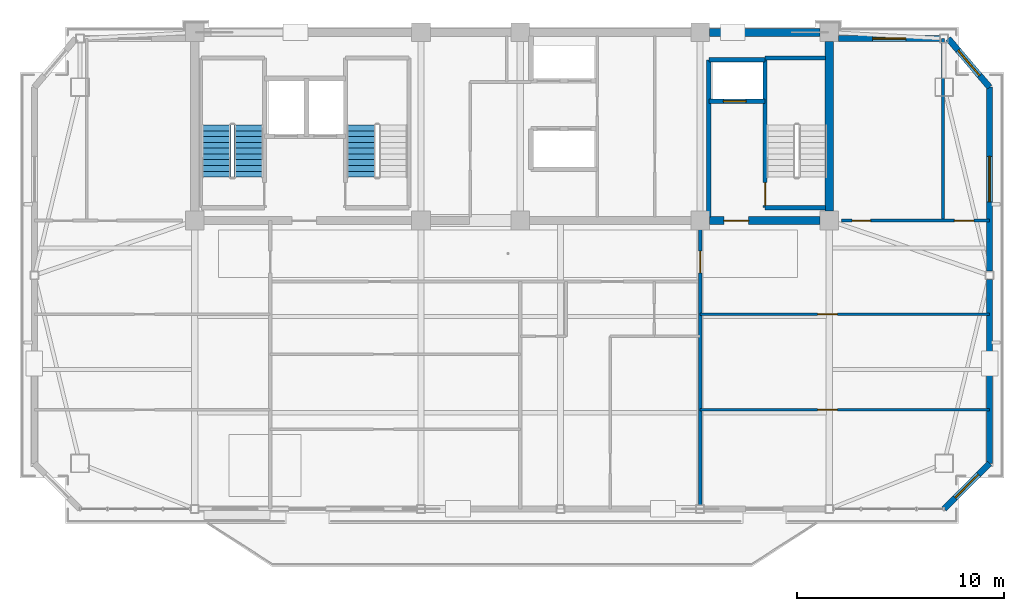
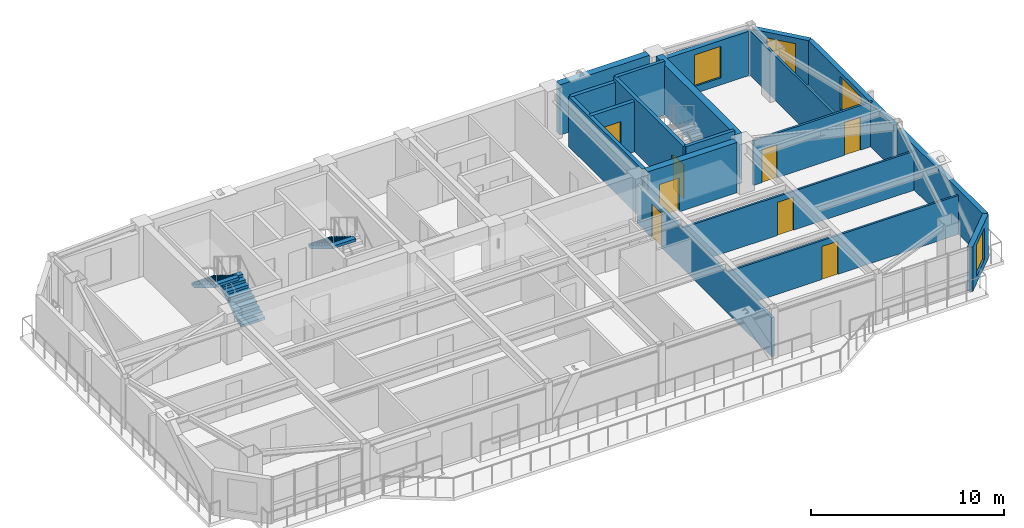
# One storey, part 8 of 12: 19 walls, 8 doors, 4 windows, 3 stair flights, 12 openings, 2 elements without a shape of their own.
"""IFC4 building model written with IfcOpenShell, lengths in metres."""

import ifcopenshell
import ifcopenshell.guid

model = None  # the IFC model being written
_history = None  # IfcOwnerHistory: only IFC2X3 demands one
_inside = {}  # id of a spatial element -> (the spatial element, [elements in it])
_under = {}  # id of a project, library or spatial element -> (it, [spatial elements below it])
_declared = {}  # id of a project -> (the project, [libraries it declares])
_typed = {}  # id of a type object -> (the type object, [elements of that type])
_made_of = {}  # id of a material, layer set ... -> (it, [elements and type objects made of it])


def new_model(schema):
    """Start an empty IFC model of exactly this schema.

    Asked for "IFC4X3", IfcOpenShell would pick the latest addendum, in which some entities
    have other attributes; the version numbers below select the first issue.
    IFC2X3 requires an IfcOwnerHistory on every rooted entity: one is made here for all.
    """
    global model, _history
    if schema == "IFC4X3":
        model = ifcopenshell.file(schema_version=(4, 3, 0, 0))
    else:
        model = ifcopenshell.file(schema=schema)
    _inside.clear()
    _under.clear()
    _declared.clear()
    _typed.clear()
    _made_of.clear()
    _history = None
    if model.schema == "IFC2X3":
        org = make("IfcOrganization", Name="unknown")
        user = make(
            "IfcPersonAndOrganization",
            ThePerson=make("IfcPerson", FamilyName="unknown"),
            TheOrganization=org,
        )
        app = make(
            "IfcApplication",
            ApplicationDeveloper=org,
            Version="unknown",
            ApplicationFullName="unknown",
            ApplicationIdentifier="unknown",
        )
        _history = make(
            "IfcOwnerHistory",
            OwningUser=user,
            OwningApplication=app,
            ChangeAction="ADDED",
            CreationDate=0,
        )
    return model


def make(cls, **values):
    """One entity of the class cls with the attributes given. An attribute that is None is left unset."""
    return model.create_entity(
        cls, **{name: value for name, value in values.items() if value is not None}
    )


def rooted(cls, **values):
    """An entity with a GlobalId (a new one), such as an element, a storey or a relation."""
    return make(cls, GlobalId=ifcopenshell.guid.new(), OwnerHistory=_history, **values)


def si_unit(unit_type, name, prefix=None):
    """IfcSIUnit, for example si_unit("LENGTHUNIT", "METRE", prefix="MILLI")."""
    return make("IfcSIUnit", UnitType=unit_type, Prefix=prefix, Name=name)


def assignment(units):
    """IfcUnitAssignment: the units of a project."""
    return None if units is None else make("IfcUnitAssignment", Units=units)


def point(xyz):
    """IfcCartesianPoint."""
    return None if xyz is None else make("IfcCartesianPoint", Coordinates=xyz)


def direction(xyz):
    """IfcDirection."""
    return None if xyz is None else make("IfcDirection", DirectionRatios=xyz)


def frame(location, z_axis=None, x_axis=None):
    """IfcAxis2Placement3D, a coordinate frame: its origin and axes. An axis left out is left unset."""
    return make(
        "IfcAxis2Placement3D",
        Location=point(location),
        Axis=direction(z_axis),
        RefDirection=direction(x_axis),
    )


def frame_2d(location, x_axis=None):
    """IfcAxis2Placement2D, a coordinate frame in the plane: its origin and x axis."""
    return make(
        "IfcAxis2Placement2D", Location=point(location), RefDirection=direction(x_axis)
    )


def origin():
    """The frame at (0, 0, 0) with its axes left unset."""
    return frame((0.0, 0.0, 0.0))


def place(relative_to, where):
    """IfcLocalPlacement: puts the frame where relative to a parent placement (None: the world)."""
    return make(
        "IfcLocalPlacement", PlacementRelTo=relative_to, RelativePlacement=where
    )


def context(
    kind, dimensions, precision=None, world=None, true_north=None, identifier=None
):
    """IfcGeometricRepresentationContext, for example the 3D "Model" context."""
    return make(
        "IfcGeometricRepresentationContext",
        ContextIdentifier=identifier,
        ContextType=kind,
        CoordinateSpaceDimension=dimensions,
        Precision=precision,
        WorldCoordinateSystem=world,
        TrueNorth=true_north,
    )


def subcontext(parent, identifier, kind, view, scale=None):
    """IfcGeometricRepresentationSubContext, for example "Body" below "Model"."""
    return make(
        "IfcGeometricRepresentationSubContext",
        ContextIdentifier=identifier,
        ContextType=kind,
        ParentContext=parent,
        TargetScale=scale,
        TargetView=view,
    )


def project(units=None, contexts=None):
    """IfcProject with its units and contexts."""
    return rooted(
        "IfcProject",
        Name="project",
        RepresentationContexts=contexts,
        UnitsInContext=assignment(units),
    )


def spatial(cls, under=None, at=None, **own):
    """A site, building, storey or space (cls), placed at a placement, below another one or the project."""
    s = rooted(cls, ObjectPlacement=at, **own)
    if under is not None:
        _under.setdefault(under.id(), (under, []))[1].append(s)
    return s


def polyline(points):
    """IfcPolyline through the points."""
    return make("IfcPolyline", Points=[point(p) for p in points])


def profile(cls, at=None, kind="AREA", **sizes):
    """A parametric profile (cls). Its sizes go by their IFC names, for example OverallWidth=200.0."""
    return make(cls, ProfileType=kind, Position=at, **sizes)


def rectangle(**sizes):
    """IfcRectangleProfileDef."""
    return profile("IfcRectangleProfileDef", **sizes)


def outline(outer, holes=None, kind="AREA"):
    """IfcArbitraryClosedProfileDef: a profile drawn as a closed curve; with holes, ...WithVoids."""
    if holes is None:
        return make("IfcArbitraryClosedProfileDef", ProfileType=kind, OuterCurve=outer)
    return make(
        "IfcArbitraryProfileDefWithVoids",
        ProfileType=kind,
        OuterCurve=outer,
        InnerCurves=holes,
    )


def extrude(swept, where, along, depth):
    """IfcExtrudedAreaSolid: the profile swept, set in the frame where, extruded along a direction by depth."""
    return make(
        "IfcExtrudedAreaSolid",
        SweptArea=swept,
        Position=where,
        ExtrudedDirection=direction(along),
        Depth=depth,
    )


def shape(context_of_items, identifier, shape_type, items):
    """IfcShapeRepresentation: the items that make up one representation, for example the "Body"."""
    return make(
        "IfcShapeRepresentation",
        ContextOfItems=context_of_items,
        RepresentationIdentifier=identifier,
        RepresentationType=shape_type,
        Items=items,
    )


def source(mapping_origin, context_of_items, identifier, shape_type, items):
    """IfcRepresentationMap: a shape defined once, which mapped items show again and again."""
    return make(
        "IfcRepresentationMap",
        MappingOrigin=mapping_origin,
        MappedRepresentation=shape(context_of_items, identifier, shape_type, items),
    )


def transform(
    local_origin,
    x_axis=None,
    y_axis=None,
    z_axis=None,
    scale=None,
    scale2=None,
    scale3=None,
    uniform=True,
):
    """IfcCartesianTransformationOperator3D, or its non-uniform kind. x_axis, y_axis, z_axis: its Axis1, 2, 3."""
    if uniform:
        return make(
            "IfcCartesianTransformationOperator3D",
            Axis1=direction(x_axis),
            Axis2=direction(y_axis),
            LocalOrigin=point(local_origin),
            Scale=scale,
            Axis3=direction(z_axis),
        )
    return make(
        "IfcCartesianTransformationOperator3DnonUniform",
        Axis1=direction(x_axis),
        Axis2=direction(y_axis),
        LocalOrigin=point(local_origin),
        Scale=scale,
        Axis3=direction(z_axis),
        Scale2=scale2,
        Scale3=scale3,
    )


def mapped(mapping_source, mapping_target):
    """IfcMappedItem: shows the shape of a source again, moved by a transform."""
    return make(
        "IfcMappedItem", MappingSource=mapping_source, MappingTarget=mapping_target
    )


def material(Name=None, Category=None):
    """IfcMaterial."""
    return make("IfcMaterial", Name=Name, Category=Category)


def layer(
    of_material, thickness, ventilated=None, Name=None, Category=None, Priority=None
):
    """IfcMaterialLayer: one layer of a wall or slab, of a material (None: an air gap)."""
    return make(
        "IfcMaterialLayer",
        Material=of_material,
        LayerThickness=thickness,
        IsVentilated=ventilated,
        Name=Name,
        Category=Category,
        Priority=Priority,
    )


def layer_set(layers, Name=None):
    """IfcMaterialLayerSet."""
    return make("IfcMaterialLayerSet", MaterialLayers=layers, LayerSetName=Name)


def made_of(thing, what):
    """Note that an element or type object is made of a material, layer set ...; save() writes the relation."""
    if what is not None:
        _made_of.setdefault(what.id(), (what, []))[1].append(thing)
    return thing


def type_object(cls, material=None, **own):
    """A type object (cls), such as IfcWallType, which elements share."""
    return made_of(rooted(cls, **own), material)


def element(
    cls,
    number,
    at=None,
    inside=None,
    cuts=None,
    type_object=None,
    material=None,
    context=None,
    identifier="Body",
    shape_type=None,
    held_by="IfcProductDefinitionShape",
    body=None,
    shapes=None,
    **own,
):
    """One element of the class cls, such as IfcWall. Its Tag is "e" and its number.

    at: its placement. inside: the storey or other place that contains it. cuts: it is an
    opening in that element (IfcRelVoidsElement). A single representation is given by context,
    identifier, shape_type and body (its items); several are given by shapes. held_by: the class
    of the entity that holds the representations. save() writes the other relations.
    """
    e = rooted(cls, Tag="e%d" % number, ObjectPlacement=at, **own)
    if body is not None:
        shapes = [shape(context, identifier, shape_type, body)]
    if shapes is not None:
        e.Representation = make(held_by, Representations=shapes)
    if inside is not None:
        _inside.setdefault(inside.id(), (inside, []))[1].append(e)
    if cuts is not None:
        rooted(
            "IfcRelVoidsElement", RelatingBuildingElement=cuts, RelatedOpeningElement=e
        )
    if type_object is not None:
        _typed.setdefault(type_object.id(), (type_object, []))[1].append(e)
    return made_of(e, material)


def fill(opening, filler):
    """IfcRelFillsElement: the door or window that sits in an opening."""
    return rooted(
        "IfcRelFillsElement",
        RelatingOpeningElement=opening,
        RelatedBuildingElement=filler,
    )


def aggregate(whole, parts):
    """IfcRelAggregates: a whole, such as a stair, and the parts it consists of."""
    return rooted("IfcRelAggregates", RelatingObject=whole, RelatedObjects=parts)


def save(model, path):
    """Write the relations noted so far, then the file.

    IfcRelAggregates (storeys below a building ...), IfcRelContainedInSpatialStructure (elements
    in a storey), IfcRelDefinesByType, IfcRelAssociatesMaterial and IfcRelDeclares: one each for
    every whole, place, type object, material and project.
    """
    for whole, parts in _under.values():
        aggregate(whole, parts)
    for where, things in _inside.values():
        rooted(
            "IfcRelContainedInSpatialStructure",
            RelatedElements=things,
            RelatingStructure=where,
        )
    for kind, things in _typed.values():
        rooted("IfcRelDefinesByType", RelatedObjects=things, RelatingType=kind)
    for what, things in _made_of.values():
        rooted("IfcRelAssociatesMaterial", RelatedObjects=things, RelatingMaterial=what)
    for by, libraries in _declared.values():
        rooted("IfcRelDeclares", RelatingContext=by, RelatedDefinitions=libraries)
    model.write(path)


model = new_model("IFC4")

# Units and contexts
model_context = context("Model", 3, precision=1e-05, world=origin(), true_north=direction((0.0, 1.0)))
body_context = subcontext(model_context, "Body", "Model", "MODEL_VIEW")
ifc_project = project(units=[si_unit("LENGTHUNIT", "METRE"), si_unit("AREAUNIT", "SQUARE_METRE"), si_unit("VOLUMEUNIT", "CUBIC_METRE"), si_unit("PLANEANGLEUNIT", "RADIAN"), si_unit("MASSUNIT", "GRAM", prefix="KILO")], contexts=[model_context])

# Site, building, storey
site_placement = place(None, origin())
site = spatial("IfcSite", under=ifc_project, at=site_placement, CompositionType="ELEMENT")
building_placement = place(site_placement, origin())
building = spatial("IfcBuilding", under=site, at=building_placement, Name="Giltprow Tower", CompositionType="ELEMENT")
storey_placement = place(building_placement, frame((0.0, 0.0, 345.89990234375)))
storey = spatial("IfcBuildingStorey", under=building, at=storey_placement, Name="L90", CompositionType="ELEMENT", Elevation=345.89990234375)

# Wall, opening, window
ifc_material_1 = material(Name="Precast concrete C40", Category="concrete")
ifc_layer_1 = layer(ifc_material_1, 0.300048828125, Name="Precast concrete C40")
ifc_layer_set_1 = layer_set([ifc_layer_1], Name="Precast concrete C40")
wall_type_1 = type_object("IfcWallType", Name="EW-NOTCH-CHAMFER-300", PredefinedType="SOLIDWALL", material=ifc_layer_set_1)
wall_1_placement = place(storey_placement, frame((56.10009765625, 23.5, 0.0), z_axis=(0.0, 0.0, 1.0), x_axis=(0.707106781187, 0.707106781187, 0.0)))
wall_1 = element("IfcWall", 1, at=wall_1_placement, inside=storey, type_object=wall_type_1, Name="L90 Corner Notch Wall SE", PredefinedType="SOLIDWALL", context=body_context, shape_type="SweptSolid", body=[
    extrude(rectangle(XDim=3.111083984375, YDim=0.300048828125, at=frame_2d((1.5556640625, 0.0))), origin(), (0.0, 0.0, 1.0), 2.815185546875),
])
opening_1_placement = place(wall_1_placement, frame((0.756103515625, 0.0, 0.449951171875)))
opening_1 = element("IfcOpeningElement", 2, at=opening_1_placement, cuts=wall_1, Name="Opening WN17", PredefinedType="OPENING", context=body_context, shape_type="SweptSolid", body=[
    extrude(rectangle(XDim=1.60009765625, YDim=2.0, at=frame_2d((0.800048828125, 1.0))), frame((0.0, 0.159912109375, 0.0), z_axis=(0.0, -1.0, 0.0), x_axis=(1.0, 0.0, 0.0)), (0.0, 0.0, 1.0), 0.320068359375),
])
ifc_material_2 = material(Name="Insulated glass", Category="glass")
window_type_1 = type_object("IfcWindowType", Name="WN-COR-1600x2000", PartitioningType="SINGLE_PANEL", PredefinedType="WINDOW", material=ifc_material_2)
shared_shape_1 = source(origin(), body_context, "Body", "SweptSolid", [
    extrude(rectangle(XDim=1.60009765625, YDim=2.0, at=frame_2d((0.800048828125, 1.0))), frame((0.0, 0.030029296875, 0.0), z_axis=(0.0, -1.0, 0.0), x_axis=(1.0, 0.0, 0.0)), (0.0, 0.0, 1.0), 0.06005859375),
])
window_1_placement = place(opening_1_placement, origin())
window_1 = element("IfcWindow", 3, at=window_1_placement, inside=storey, type_object=window_type_1, Name="L90 Corner Notch Window SE", OverallHeight=2.0, OverallWidth=1.60009765625, PartitioningType="SINGLE_PANEL", PredefinedType="WINDOW", context=body_context, shape_type="MappedRepresentation", body=[
    mapped(shared_shape_1, transform((0.0, 0.0, 0.0), x_axis=(1.0, 0.0, 0.0), y_axis=(0.0, 1.0, 0.0), z_axis=(0.0, 0.0, 1.0), scale=1.0)),
])
fill(opening_1, window_1)

wall_2_placement = place(storey_placement, frame((58.300048828125, 43.89990234375, 0.0), z_axis=(0.0, 0.0, 1.0), x_axis=(-0.648103010114, 0.761552682538, 0.0)))
wall_2 = element("IfcWall", 4, at=wall_2_placement, inside=storey, type_object=wall_type_1, Name="L90 Corner Notch Wall NE", PredefinedType="SOLIDWALL", context=body_context, shape_type="SweptSolid", body=[
    extrude(rectangle(XDim=3.0859375, YDim=0.300048828125, at=frame_2d((1.54296875, 0.0))), origin(), (0.0, 0.0, 1.0), 2.815185546875),
])
opening_2_placement = place(wall_2_placement, frame((0.742919921875, 0.0, 0.449951171875)))
opening_2 = element("IfcOpeningElement", 5, at=opening_2_placement, cuts=wall_2, Name="Opening WN17", PredefinedType="OPENING", context=body_context, shape_type="SweptSolid", body=[
    extrude(rectangle(XDim=1.60009765625, YDim=2.0, at=frame_2d((0.800048828125, 1.0))), frame((0.0, 0.159912109375, 0.0), z_axis=(0.0, -1.0, 0.0), x_axis=(1.0, 0.0, 0.0)), (0.0, 0.0, 1.0), 0.320068359375),
])
window_2_placement = place(opening_2_placement, origin())
window_2 = element("IfcWindow", 6, at=window_2_placement, inside=storey, type_object=window_type_1, Name="L90 Corner Notch Window NE", OverallHeight=2.0, OverallWidth=1.60009765625, PartitioningType="SINGLE_PANEL", PredefinedType="WINDOW", context=body_context, shape_type="MappedRepresentation", body=[
    mapped(shared_shape_1, transform((0.0, 0.0, 0.0), x_axis=(1.0, 0.0, 0.0), y_axis=(0.0, 1.0, 0.0), z_axis=(0.0, 0.0, 1.0), scale=1.0)),
])
fill(opening_2, window_2)

# Wall
ifc_layer_2 = layer(ifc_material_1, 0.280029296875, Name="Precast concrete C40")
ifc_layer_set_2 = layer_set([ifc_layer_2], Name="Precast concrete C40")
wall_type_2 = type_object("IfcWallType", Name="EW-TOW-BRONZE-280", PredefinedType="SOLIDWALL", material=ifc_layer_set_2)
wall_3_placement = place(storey_placement, frame((58.300048828125, 25.699951171875, 0.0), z_axis=(0.0, 0.0, 1.0), x_axis=(0.0, 1.0, 0.0)))
element("IfcWall", 7, at=wall_3_placement, inside=storey, type_object=wall_type_2, Name="L90 E Wing Masonry Wall 1", PredefinedType="SOLIDWALL", context=body_context, shape_type="SweptSolid", body=[
    extrude(rectangle(XDim=8.900146484375, YDim=0.280029296875, at=frame_2d((4.4501953125, 0.0))), origin(), (0.0, 0.0, 1.0), 2.815185546875),
])

# Wall, opening, window
wall_4_placement = place(storey_placement, frame((58.300048828125, 35.0, 0.0), z_axis=(0.0, 0.0, 1.0), x_axis=(0.0, 1.0, 0.0)))
wall_4 = element("IfcWall", 8, at=wall_4_placement, inside=storey, type_object=wall_type_2, Name="L90 E Wing Masonry Wall 2", PredefinedType="SOLIDWALL", context=body_context, shape_type="SweptSolid", body=[
    extrude(rectangle(XDim=8.89990234375, YDim=0.280029296875, at=frame_2d((4.449951171875, 0.0))), origin(), (0.0, 0.0, 1.0), 2.815185546875),
])
opening_3_placement = place(wall_4_placement, frame((3.35009765625, 0.0, 0.449951171875)))
opening_3 = element("IfcOpeningElement", 9, at=opening_3_placement, cuts=wall_4, Name="Opening WN27", PredefinedType="OPENING", context=body_context, shape_type="SweptSolid", body=[
    extrude(rectangle(XDim=2.199951171875, YDim=2.10009765625, at=frame_2d((1.10009765625, 1.050048828125))), frame((0.0, 0.14990234375, 0.0), z_axis=(0.0, -1.0, 0.0), x_axis=(1.0, 0.0, 0.0)), (0.0, 0.0, 1.0), 0.300048828125),
])
window_type_2 = type_object("IfcWindowType", Name="WN-RES-2200x2100", PartitioningType="TRIPLE_PANEL_VERTICAL", PredefinedType="WINDOW", material=ifc_material_2)
shared_shape_2 = source(origin(), body_context, "Body", "SweptSolid", [
    extrude(rectangle(XDim=2.199951171875, YDim=2.10009765625, at=frame_2d((1.10009765625, 1.050048828125))), frame((0.0, 0.030029296875, 0.0), z_axis=(0.0, -1.0, 0.0), x_axis=(1.0, 0.0, 0.0)), (0.0, 0.0, 1.0), 0.06005859375),
])
window_3_placement = place(opening_3_placement, origin())
window_3 = element("IfcWindow", 10, at=window_3_placement, inside=storey, type_object=window_type_2, Name="L90 E Wing Window 2-1", OverallHeight=2.10009765625, OverallWidth=2.199951171875, PartitioningType="SINGLE_PANEL", PredefinedType="WINDOW", context=body_context, shape_type="MappedRepresentation", body=[
    mapped(shared_shape_2, transform((0.0, 0.0, 0.0), x_axis=(1.0, 0.0, 0.0), y_axis=(0.0, 1.0, 0.0), z_axis=(0.0, 0.0, 1.0), scale=1.0)),
])
fill(opening_3, window_3)

wall_5_placement = place(storey_placement, frame((51.0, 46.25, 0.0), z_axis=(0.0, 0.0, 1.0), x_axis=(1.0, 0.0, 0.0)))
wall_5 = element("IfcWall", 11, at=wall_5_placement, inside=storey, type_object=wall_type_2, Name="L90 North-East Wing Wall", PredefinedType="SOLIDWALL", context=body_context, shape_type="SweptSolid", body=[
    extrude(rectangle(XDim=4.89990234375, YDim=0.280029296875, at=frame_2d((2.449951171875, 0.0))), origin(), (0.0, 0.0, 1.0), 2.815185546875),
])
opening_4_placement = place(wall_5_placement, frame((1.64990234375, 0.0, 0.449951171875)))
opening_4 = element("IfcOpeningElement", 12, at=opening_4_placement, cuts=wall_5, Name="Opening WN17", PredefinedType="OPENING", context=body_context, shape_type="SweptSolid", body=[
    extrude(rectangle(XDim=1.60009765625, YDim=2.0, at=frame_2d((0.800048828125, 1.0))), frame((0.0, 0.14990234375, 0.0), z_axis=(0.0, -1.0, 0.0), x_axis=(1.0, 0.0, 0.0)), (0.0, 0.0, 1.0), 0.300048828125),
])
window_4_placement = place(opening_4_placement, origin())
window_4 = element("IfcWindow", 13, at=window_4_placement, inside=storey, type_object=window_type_1, Name="L90 North-East Window", OverallHeight=2.0, OverallWidth=1.60009765625, PartitioningType="SINGLE_PANEL", PredefinedType="WINDOW", context=body_context, shape_type="MappedRepresentation", body=[
    mapped(shared_shape_1, transform((0.0, 0.0, 0.0), x_axis=(1.0, 0.0, 0.0), y_axis=(0.0, 1.0, 0.0), z_axis=(0.0, 0.0, 1.0), scale=1.0)),
])
fill(opening_4, window_4)

# Wall, opening, door
ifc_material_3 = material(Name="Gypsum stud partition", Category="gypsum")
ifc_layer_3 = layer(ifc_material_3, 0.159912109375, Name="Gypsum stud partition")
ifc_layer_set_3 = layer_set([ifc_layer_3], Name="Gypsum stud partition")
wall_type_3 = type_object("IfcWallType", Name="IW-DEMISE-160", PredefinedType="PARTITIONING", material=ifc_layer_set_3)
wall_6_placement = place(storey_placement, frame((44.300048828125, 23.5, 0.0), z_axis=(0.0, 0.0, 1.0), x_axis=(0.0, 1.0, 0.0)))
wall_6 = element("IfcWall", 14, at=wall_6_placement, inside=storey, type_object=wall_type_3, Name="L90 Apartment Party Wall 3", PredefinedType="PARTITIONING", context=body_context, shape_type="SweptSolid", body=[
    extrude(rectangle(XDim=13.949951171875, YDim=0.159912109375, at=frame_2d((6.97509765625, 0.0))), origin(), (0.0, 0.0, 1.0), 2.47021484375),
])
opening_5_placement = place(wall_6_placement, frame((11.419921875, 0.0, 0.0)))
opening_5 = element("IfcOpeningElement", 15, at=opening_5_placement, cuts=wall_6, Name="Opening ID31", PredefinedType="OPENING", context=body_context, shape_type="SweptSolid", body=[
    extrude(rectangle(XDim=1.050048828125, YDim=2.14990234375, at=frame_2d((0.52490234375, 1.074951171875))), frame((0.0, 0.08984375, 0.0), z_axis=(0.0, -1.0, 0.0), x_axis=(1.0, 0.0, 0.0)), (0.0, 0.0, 1.0), 0.179931640625),
])
ifc_material_4 = material(Name="Engineered timber", Category="wood")
door_type_1 = type_object("IfcDoorType", Name="DR-SUITE-1050", OperationType="SINGLE_SWING_LEFT", PredefinedType="DOOR", material=ifc_material_4)
shared_shape_3 = source(origin(), body_context, "Body", "SweptSolid", [
    extrude(rectangle(XDim=1.050048828125, YDim=2.14990234375, at=frame_2d((0.52490234375, 1.074951171875))), frame((0.0, 0.02490234375, 0.0), z_axis=(0.0, -1.0, 0.0), x_axis=(1.0, 0.0, 0.0)), (0.0, 0.0, 1.0), 0.050048828125),
])
door_1_placement = place(opening_5_placement, origin())
door_1 = element("IfcDoor", 16, at=door_1_placement, inside=storey, type_object=door_type_1, Name="L90 Rare Books Boutique Shop 2 Corridor End Door", OperationType="SINGLE_SWING_LEFT", OverallHeight=2.14990234375, OverallWidth=1.050048828125, PredefinedType="DOOR", context=body_context, shape_type="MappedRepresentation", body=[
    mapped(shared_shape_3, transform((0.0, 0.0, 0.0), x_axis=(1.0, 0.0, 0.0), y_axis=(0.0, 1.0, 0.0), z_axis=(0.0, 0.0, 1.0), scale=1.0)),
])
fill(opening_5, door_1)

ifc_layer_4 = layer(ifc_material_3, 0.1201171875, Name="Gypsum stud partition")
ifc_layer_set_4 = layer_set([ifc_layer_4], Name="Gypsum stud partition")
wall_type_4 = type_object("IfcWallType", Name="IW-ROOM-120", PredefinedType="PARTITIONING", material=ifc_layer_set_4)
wall_7_placement = place(storey_placement, frame((44.300048828125, 28.306884765625, 0.0), z_axis=(0.0, 0.0, 1.0), x_axis=(1.0, 0.0, 0.0)))
wall_7 = element("IfcWall", 17, at=wall_7_placement, inside=storey, type_object=wall_type_4, Name="L90 Special Split 1", PredefinedType="PARTITIONING", context=body_context, shape_type="SweptSolid", body=[
    extrude(rectangle(XDim=14.0, YDim=0.1201171875, at=frame_2d((7.0, 0.0))), origin(), (0.0, 0.0, 1.0), 2.47021484375),
])
opening_6_placement = place(wall_7_placement, frame((5.68603515625, 0.0, 0.0)))
opening_6 = element("IfcOpeningElement", 18, at=opening_6_placement, cuts=wall_7, Name="Opening ID11", PredefinedType="OPENING", context=body_context, shape_type="SweptSolid", body=[
    extrude(rectangle(XDim=0.949951171875, YDim=2.10009765625, at=frame_2d((0.47509765625, 1.050048828125))), frame((0.0, 0.070068359375, 0.0), z_axis=(0.0, -1.0, 0.0), x_axis=(1.0, 0.0, 0.0)), (0.0, 0.0, 1.0), 0.14013671875),
])
door_type_2 = type_object("IfcDoorType", Name="DR-ROOM-950", OperationType="SINGLE_SWING_RIGHT", PredefinedType="DOOR", material=ifc_material_4)
shared_shape_4 = source(origin(), body_context, "Body", "SweptSolid", [
    extrude(rectangle(XDim=0.949951171875, YDim=2.10009765625, at=frame_2d((0.47509765625, 1.050048828125))), frame((0.0, 0.02490234375, 0.0), z_axis=(0.0, -1.0, 0.0), x_axis=(1.0, 0.0, 0.0)), (0.0, 0.0, 1.0), 0.050048828125),
])
door_2_placement = place(opening_6_placement, origin())
door_2 = element("IfcDoor", 19, at=door_2_placement, inside=storey, type_object=door_type_2, Name="L90 Rare Books Boutique Shop 2 South Door", OperationType="SINGLE_SWING_RIGHT", OverallHeight=2.10009765625, OverallWidth=0.949951171875, PredefinedType="DOOR", context=body_context, shape_type="MappedRepresentation", body=[
    mapped(shared_shape_4, transform((0.0, 0.0, 0.0), x_axis=(1.0, 0.0, 0.0), y_axis=(0.0, 1.0, 0.0), z_axis=(0.0, 0.0, 1.0), scale=1.0)),
])
fill(opening_6, door_2)

wall_8_placement = place(storey_placement, frame((44.300048828125, 32.9140625, 0.0), z_axis=(0.0, 0.0, 1.0), x_axis=(1.0, 0.0, 0.0)))
wall_8 = element("IfcWall", 20, at=wall_8_placement, inside=storey, type_object=wall_type_4, Name="L90 Special Split 2", PredefinedType="PARTITIONING", context=body_context, shape_type="SweptSolid", body=[
    extrude(rectangle(XDim=14.0, YDim=0.1201171875, at=frame_2d((7.0, 0.0))), origin(), (0.0, 0.0, 1.0), 2.47021484375),
])
opening_7_placement = place(wall_8_placement, frame((5.68603515625, 0.0, 0.0)))
opening_7 = element("IfcOpeningElement", 21, at=opening_7_placement, cuts=wall_8, Name="Opening ID11", PredefinedType="OPENING", context=body_context, shape_type="SweptSolid", body=[
    extrude(rectangle(XDim=0.949951171875, YDim=2.10009765625, at=frame_2d((0.47509765625, 1.050048828125))), frame((0.0, 0.070068359375, 0.0), z_axis=(0.0, -1.0, 0.0), x_axis=(1.0, 0.0, 0.0)), (0.0, 0.0, 1.0), 0.14013671875),
])
door_3_placement = place(opening_7_placement, origin())
door_3 = element("IfcDoor", 22, at=door_3_placement, inside=storey, type_object=door_type_2, Name="L90 Rare Books Boutique Shop 2 Mid Door", OperationType="SINGLE_SWING_LEFT", OverallHeight=2.10009765625, OverallWidth=0.949951171875, PredefinedType="DOOR", context=body_context, shape_type="MappedRepresentation", body=[
    mapped(shared_shape_4, transform((0.0, 0.0, 0.0), x_axis=(1.0, 0.0, 0.0), y_axis=(0.0, 1.0, 0.0), z_axis=(0.0, 0.0, 1.0), scale=1.0)),
])
fill(opening_7, door_3)

ifc_material_5 = material(Name="Concrete C40", Category="concrete")
ifc_layer_5 = layer(ifc_material_5, 0.219970703125, Name="Concrete C40")
ifc_layer_set_5 = layer_set([ifc_layer_5], Name="Concrete C40")
wall_type_5 = type_object("IfcWallType", Name="IW-SHAFT-220", PredefinedType="SOLIDWALL", material=ifc_layer_set_5)
wall_9_placement = place(storey_placement, frame((44.719970703125, 43.219970703125, 0.0), z_axis=(0.0, 0.0, 1.0), x_axis=(1.0, 0.0, 0.0)))
wall_9 = element("IfcWall", 23, at=wall_9_placement, inside=storey, type_object=wall_type_5, Name="L90 FFL2 Front Shaft Wall", PredefinedType="SOLIDWALL", context=body_context, shape_type="SweptSolid", body=[
    extrude(rectangle(XDim=2.719970703125, YDim=0.219970703125, at=frame_2d((1.35986328125, 0.0))), origin(), (0.0, 0.0, 1.0), 3.18505859375),
])
opening_8_placement = place(wall_9_placement, frame((0.699951171875, 0.0, 0.0)))
opening_8 = element("IfcOpeningElement", 24, at=opening_8_placement, cuts=wall_9, Name="Opening LD-11", PredefinedType="OPENING", context=body_context, shape_type="SweptSolid", body=[
    extrude(rectangle(XDim=1.10009765625, YDim=2.199951171875, at=frame_2d((0.550048828125, 1.10009765625))), frame((0.0, 0.119873046875, 0.0), z_axis=(0.0, -1.0, 0.0), x_axis=(1.0, 0.0, 0.0)), (0.0, 0.0, 1.0), 0.239990234375),
])
ifc_material_6 = material(Name="Stainless steel", Category="steel")
door_type_3 = type_object("IfcDoorType", Name="DR-LIFT-LD1100", OperationType="SLIDING_TO_LEFT", PredefinedType="DOOR", material=ifc_material_6)
shared_shape_5 = source(origin(), body_context, "Body", "SweptSolid", [
    extrude(rectangle(XDim=1.10009765625, YDim=2.199951171875, at=frame_2d((0.550048828125, 1.10009765625))), frame((0.0, 0.02490234375, 0.0), z_axis=(0.0, -1.0, 0.0), x_axis=(1.0, 0.0, 0.0)), (0.0, 0.0, 1.0), 0.050048828125),
])
door_4_placement = place(opening_8_placement, origin())
door_4 = element("IfcDoor", 25, at=door_4_placement, inside=storey, type_object=door_type_3, Name="L90 FFL2 Landing Door", OperationType="SLIDING_TO_LEFT", OverallHeight=2.199951171875, OverallWidth=1.10009765625, PredefinedType="DOOR", context=body_context, shape_type="MappedRepresentation", body=[
    mapped(shared_shape_5, transform((0.0, 0.0, 0.0), x_axis=(1.0, 0.0, 0.0), y_axis=(0.0, 1.0, 0.0), z_axis=(0.0, 0.0, 1.0), scale=1.0)),
])
fill(opening_8, door_4)

# Walls
wall_10_placement = place(storey_placement, frame((44.719970703125, 45.219970703125, 0.0), z_axis=(0.0, 0.0, 1.0), x_axis=(1.0, 0.0, 0.0)))
element("IfcWall", 26, at=wall_10_placement, inside=storey, type_object=wall_type_5, Name="L90 FFL2 Back Shaft Wall", PredefinedType="SOLIDWALL", context=body_context, shape_type="SweptSolid", body=[
    extrude(rectangle(XDim=2.719970703125, YDim=0.219970703125, at=frame_2d((1.35986328125, 0.0))), origin(), (0.0, 0.0, 1.0), 3.18505859375),
])
wall_11_placement = place(storey_placement, frame((44.719970703125, 37.6298828125, 0.0), z_axis=(0.0, 0.0, 1.0), x_axis=(0.0, 1.0, 0.0)))
element("IfcWall", 27, at=wall_11_placement, inside=storey, type_object=wall_type_5, Name="L90 East Firefighting Lobby West Wall", PredefinedType="SOLIDWALL", context=body_context, shape_type="SweptSolid", body=[
    extrude(rectangle(XDim=7.590087890625, YDim=0.219970703125, at=frame_2d((3.794921875, 0.0))), origin(), (0.0, 0.0, 1.0), 3.18505859375),
])

# Wall, opening, door
ifc_layer_6 = layer(ifc_material_5, 0.199951171875, Name="Concrete C40")
ifc_layer_set_6 = layer_set([ifc_layer_6], Name="Concrete C40")
wall_type_6 = type_object("IfcWallType", Name="IW-STAIR-200", PredefinedType="SOLIDWALL", material=ifc_layer_set_6)
wall_12_placement = place(storey_placement, frame((47.43994140625, 38.070068359375, 0.0), z_axis=(0.0, 0.0, 1.0), x_axis=(0.0, 1.0, 0.0)))
wall_12 = element("IfcWall", 28, at=wall_12_placement, inside=storey, type_object=wall_type_6, Name="L90 Stair ST-3 West Bearing Wall", PredefinedType="SOLIDWALL", context=body_context, shape_type="SweptSolid", body=[
    extrude(rectangle(XDim=7.25, YDim=0.199951171875, at=frame_2d((3.625, 0.0))), origin(), (0.0, 0.0, 1.0), 3.400146484375),
])
opening_9_placement = place(wall_12_placement, frame((0.110107421875, 0.0, 0.0)))
opening_9 = element("IfcOpeningElement", 29, at=opening_9_placement, cuts=wall_12, Name="Opening ID33", PredefinedType="OPENING", context=body_context, shape_type="SweptSolid", body=[
    extrude(rectangle(XDim=1.10009765625, YDim=2.14990234375, at=frame_2d((0.550048828125, 1.074951171875))), frame((0.0, 0.10986328125, 0.0), z_axis=(0.0, -1.0, 0.0), x_axis=(1.0, 0.0, 0.0)), (0.0, 0.0, 1.0), 0.219970703125),
])
ifc_material_7 = material(Name="Steel fire leaf", Category="steel")
door_type_4 = type_object("IfcDoorType", Name="DR-STAIR-1100", OperationType="SINGLE_SWING_LEFT", PredefinedType="DOOR", material=ifc_material_7)
shared_shape_6 = source(origin(), body_context, "Body", "SweptSolid", [
    extrude(rectangle(XDim=1.10009765625, YDim=2.14990234375, at=frame_2d((0.550048828125, 1.074951171875))), frame((0.0, 0.02490234375, 0.0), z_axis=(0.0, -1.0, 0.0), x_axis=(1.0, 0.0, 0.0)), (0.0, 0.0, 1.0), 0.050048828125),
])
door_5_placement = place(opening_9_placement, origin())
door_5 = element("IfcDoor", 30, at=door_5_placement, inside=storey, type_object=door_type_4, Name="L90 Stair ST-3 Fire Door", OperationType="SINGLE_SWING_RIGHT", OverallHeight=2.14990234375, OverallWidth=1.10009765625, PredefinedType="DOOR", context=body_context, shape_type="MappedRepresentation", body=[
    mapped(shared_shape_6, transform((0.0, 0.0, 0.0), x_axis=(1.0, 0.0, 0.0), y_axis=(0.0, 1.0, 0.0), z_axis=(0.0, 0.0, 1.0), scale=1.0)),
])
fill(opening_9, door_5)

# Walls
for number, where, z_axis, x_axis, name in (
    (31, (47.43994140625, 45.320068359375, 0.0), (0.0, 0.0, 1.0), (1.0, 0.0, 0.0), "L90 Stair ST-3 North Bearing Wall"),
    (32, (47.43994140625, 38.070068359375, 0.0), (0.0, 0.0, 1.0), (1.0, 0.0, 0.0), "L90 Stair ST-3 South Bearing Wall"),
):
    element("IfcWall", number, at=place(storey_placement, frame(where, z_axis=z_axis, x_axis=x_axis)), inside=storey, type_object=wall_type_6, Name=name, PredefinedType="SOLIDWALL", context=body_context, shape_type="SweptSolid", body=[
        extrude(rectangle(XDim=2.93017578125, YDim=0.199951171875, at=frame_2d((1.465087890625, 0.0))), origin(), (0.0, 0.0, 1.0), 3.400146484375),
    ])

# Wall, openings, doors
ifc_material_8 = material(Name="Concrete C30", Category="concrete")
ifc_layer_7 = layer(ifc_material_8, 0.1298828125, Name="Concrete C30")
ifc_layer_set_7 = layer_set([ifc_layer_7], Name="Concrete C30")
wall_type_7 = type_object("IfcWallType", Name="IW-WET-130", PredefinedType="PARTITIONING", material=ifc_layer_set_7)
wall_13_placement = place(storey_placement, frame((51.14990234375, 37.449951171875, 0.0), z_axis=(0.0, 0.0, 1.0), x_axis=(1.0, 0.0, 0.0)))
wall_13 = element("IfcWall", 33, at=wall_13_placement, inside=storey, type_object=wall_type_7, Name="L90 NE Wing South Wall", PredefinedType="PARTITIONING", context=body_context, shape_type="SweptSolid", body=[
    extrude(rectangle(XDim=7.150146484375, YDim=0.1298828125, at=frame_2d((3.5751953125, 0.0))), origin(), (0.0, 0.0, 1.0), 2.820068359375),
])
opening_10_placement = place(wall_13_placement, frame((0.5, 0.0, 0.0)))
opening_10 = element("IfcOpeningElement", 34, at=opening_10_placement, cuts=wall_13, Name="Opening ID15", PredefinedType="OPENING", context=body_context, shape_type="SweptSolid", body=[
    extrude(rectangle(XDim=0.89990234375, YDim=2.10009765625, at=frame_2d((0.449951171875, 1.050048828125))), frame((0.0, 0.074951171875, 0.0), z_axis=(0.0, -1.0, 0.0), x_axis=(1.0, 0.0, 0.0)), (0.0, 0.0, 1.0), 0.14990234375),
])
opening_11_placement = place(wall_13_placement, frame((5.445068359375, 0.0, 0.0)))
opening_11 = element("IfcOpeningElement", 35, at=opening_11_placement, cuts=wall_13, Name="Opening ID11", PredefinedType="OPENING", context=body_context, shape_type="SweptSolid", body=[
    extrude(rectangle(XDim=0.949951171875, YDim=2.10009765625, at=frame_2d((0.47509765625, 1.050048828125))), frame((0.0, 0.074951171875, 0.0), z_axis=(0.0, -1.0, 0.0), x_axis=(1.0, 0.0, 0.0)), (0.0, 0.0, 1.0), 0.14990234375),
])
door_type_5 = type_object("IfcDoorType", Name="DR-WC-900", OperationType="SINGLE_SWING_LEFT", PredefinedType="DOOR", material=ifc_material_4)
shared_shape_7 = source(origin(), body_context, "Body", "SweptSolid", [
    extrude(rectangle(XDim=0.89990234375, YDim=2.10009765625, at=frame_2d((0.449951171875, 1.050048828125))), frame((0.0, 0.02490234375, 0.0), z_axis=(0.0, -1.0, 0.0), x_axis=(1.0, 0.0, 0.0)), (0.0, 0.0, 1.0), 0.050048828125),
])
door_6_placement = place(opening_10_placement, origin())
door_6 = element("IfcDoor", 36, at=door_6_placement, inside=storey, type_object=door_type_5, Name="L90 East Wing Washroom Door", OperationType="SINGLE_SWING_RIGHT", OverallHeight=2.10009765625, OverallWidth=0.89990234375, PredefinedType="DOOR", context=body_context, shape_type="MappedRepresentation", body=[
    mapped(shared_shape_7, transform((0.0, 0.0, 0.0), x_axis=(1.0, 0.0, 0.0), y_axis=(0.0, 1.0, 0.0), z_axis=(0.0, 0.0, 1.0), scale=1.0)),
])
fill(opening_10, door_6)
door_7_placement = place(opening_11_placement, origin())
door_7 = element("IfcDoor", 37, at=door_7_placement, inside=storey, type_object=door_type_2, Name="L90 Residents Reading Lounge Door", OperationType="SINGLE_SWING_RIGHT", OverallHeight=2.10009765625, OverallWidth=0.949951171875, PredefinedType="DOOR", context=body_context, shape_type="MappedRepresentation", body=[
    mapped(shared_shape_4, transform((0.0, 0.0, 0.0), x_axis=(1.0, 0.0, 0.0), y_axis=(0.0, 1.0, 0.0), z_axis=(0.0, 0.0, 1.0), scale=1.0)),
])
fill(opening_11, door_7)

# Walls
wall_14_placement = place(storey_placement, frame((56.044921875, 37.449951171875, 0.0), z_axis=(0.0, 0.0, 1.0), x_axis=(0.0, 1.0, 0.0)))
element("IfcWall", 38, at=wall_14_placement, inside=storey, type_object=wall_type_7, Name="L90 NE Wing Divider", PredefinedType="PARTITIONING", context=body_context, shape_type="SweptSolid", body=[
    extrude(rectangle(XDim=8.800048828125, YDim=0.1298828125, at=frame_2d((4.39990234375, 0.0))), origin(), (0.0, 0.0, 1.0), 2.820068359375),
])
ifc_material_9 = material(Name="Concrete C45", Category="concrete")
ifc_layer_8 = layer(ifc_material_9, 0.39990234375, Name="Concrete C45")
ifc_layer_set_8 = layer_set([ifc_layer_8], Name="Concrete C45")
wall_type_8 = type_object("IfcWallType", Name="SW-EXT-400-C45", PredefinedType="SHEAR", material=ifc_layer_set_8)
wall_15_placement = place(storey_placement, frame((44.75, 46.550048828125, 0.0), z_axis=(0.0, 0.0, 1.0), x_axis=(1.0, 0.0, 0.0)))
element("IfcWall", 39, at=wall_15_placement, inside=storey, type_object=wall_type_8, Name="L90 North Rear Core Shear Wall 4", PredefinedType="SHEAR", context=body_context, shape_type="SweptSolid", body=[
    extrude(rectangle(XDim=5.35009765625, YDim=0.39990234375, at=frame_2d((2.675048828125, 0.0))), origin(), (0.0, 0.0, 1.0), 3.18505859375),
])

# Wall, opening, door
ifc_layer_9 = layer(ifc_material_9, 0.39990234375, Name="Concrete C45")
ifc_layer_set_9 = layer_set([ifc_layer_9], Name="Concrete C45")
wall_type_9 = type_object("IfcWallType", Name="SW-INT-400-C45", PredefinedType="SHEAR", material=ifc_layer_set_9)
wall_16_placement = place(storey_placement, frame((44.75, 37.449951171875, 0.0), z_axis=(0.0, 0.0, 1.0), x_axis=(1.0, 0.0, 0.0)))
wall_16 = element("IfcWall", 40, at=wall_16_placement, inside=storey, type_object=wall_type_9, Name="L90 South Rear Core Shear Wall East", PredefinedType="SHEAR", context=body_context, shape_type="SweptSolid", body=[
    extrude(rectangle(XDim=5.35009765625, YDim=0.39990234375, at=frame_2d((2.675048828125, 0.0))), origin(), (0.0, 0.0, 1.0), 3.18505859375),
])
opening_12_placement = place(wall_16_placement, frame((0.699951171875, 0.0, 0.0)))
opening_12 = element("IfcOpeningElement", 41, at=opening_12_placement, cuts=wall_16, Name="Opening ID19", PredefinedType="OPENING", context=body_context, shape_type="SweptSolid", body=[
    extrude(rectangle(XDim=1.199951171875, YDim=2.14990234375, at=frame_2d((0.60009765625, 1.074951171875))), frame((0.0, 0.2099609375, 0.0), z_axis=(0.0, -1.0, 0.0), x_axis=(1.0, 0.0, 0.0)), (0.0, 0.0, 1.0), 0.419921875),
])
door_type_6 = type_object("IfcDoorType", Name="DR-FFLOBBY-1200", OperationType="SINGLE_SWING_RIGHT", PredefinedType="DOOR", material=ifc_material_7)
shared_shape_8 = source(origin(), body_context, "Body", "SweptSolid", [
    extrude(rectangle(XDim=1.199951171875, YDim=2.14990234375, at=frame_2d((0.60009765625, 1.074951171875))), frame((0.0, 0.02490234375, 0.0), z_axis=(0.0, -1.0, 0.0), x_axis=(1.0, 0.0, 0.0)), (0.0, 0.0, 1.0), 0.050048828125),
])
door_8_placement = place(opening_12_placement, origin())
door_8 = element("IfcDoor", 42, at=door_8_placement, inside=storey, type_object=door_type_6, Name="L90 East Firefighting Lobby Entry Door", OperationType="SINGLE_SWING_RIGHT", OverallHeight=2.14990234375, OverallWidth=1.199951171875, PredefinedType="DOOR", context=body_context, shape_type="MappedRepresentation", body=[
    mapped(shared_shape_8, transform((0.0, 0.0, 0.0), x_axis=(1.0, 0.0, 0.0), y_axis=(0.0, 1.0, 0.0), z_axis=(0.0, 0.0, 1.0), scale=1.0)),
])
fill(opening_12, door_8)

# Wall
wall_17_placement = place(storey_placement, frame((50.550048828125, 37.89990234375, 0.0), z_axis=(0.0, 0.0, 1.0), x_axis=(0.0, 1.0, 0.0)))
element("IfcWall", 43, at=wall_17_placement, inside=storey, type_object=wall_type_9, Name="L90 E Rear Core Shear Wall", PredefinedType="SHEAR", context=body_context, shape_type="SweptSolid", body=[
    extrude(rectangle(XDim=8.2001953125, YDim=0.39990234375, at=frame_2d((4.10009765625, 0.0))), origin(), (0.0, 0.0, 1.0), 3.18505859375),
])

# Stair, stair flights
stair_type_1 = type_object("IfcStairType", Name="STR-ST-1", PredefinedType="HALF_TURN_STAIR", material=ifc_material_5)
stair_1_placement = place(storey_placement, origin())
stair_1 = element("IfcStair", 44, at=stair_1_placement, inside=storey, type_object=stair_type_1, Name="L90 Core Exit Stair ST-1", PredefinedType="HALF_TURN_STAIR")
stair_flight_type_1 = type_object("IfcStairFlightType", Name="SFL-ST-1", PredefinedType="STRAIGHT", material=ifc_material_5)
stair_flight_1_placement = place(storey_placement, frame((22.4599609375, 39.550048828125, 0.0), z_axis=(0.0, 0.0, 1.0), x_axis=(0.0, 1.0, 0.0)))
stair_flight_1 = element("IfcStairFlight", 45, at=stair_flight_1_placement, type_object=stair_flight_type_1, Name="ST-1 flight 1", NumberOfRisers=10, NumberOfTreads=9, PredefinedType="STRAIGHT", RiserHeight=0.17, TreadLength=0.28, context=body_context, shape_type="SweptSolid", body=[
    extrude(outline(polyline([(0.0, 0.0), (0.0, 0.169921875), (0.280029296875, 0.169921875), (0.280029296875, 0.340087890625), (0.56005859375, 0.340087890625), (0.56005859375, 0.510009765625), (0.840087890625, 0.510009765625), (0.840087890625, 0.679931640625), (1.1201171875, 0.679931640625), (1.1201171875, 0.85009765625), (1.39990234375, 0.85009765625), (1.39990234375, 1.02001953125), (1.679931640625, 1.02001953125), (1.679931640625, 1.18994140625), (1.9599609375, 1.18994140625), (1.9599609375, 1.360107421875), (2.239990234375, 1.360107421875), (2.239990234375, 1.530029296875), (2.52001953125, 1.530029296875), (2.52001953125, 1.699951171875), (2.52001953125, 1.354736328125), (0.288818359375, 0.0), (0.0, 0.0)])), frame((0.0, 0.699951171875, 0.0), z_axis=(0.0, -1.0, 0.0), x_axis=(1.0, 0.0, 0.0)), (0.0, 0.0, 1.0), 1.39990234375),
])
stair_flight_2_placement = place(storey_placement, frame((20.89990234375, 42.070068359375, 1.7001953125), z_axis=(0.0, 0.0, 1.0), x_axis=(0.0, -1.0, 0.0)))
stair_flight_2 = element("IfcStairFlight", 46, at=stair_flight_2_placement, type_object=stair_flight_type_1, Name="ST-1 flight 2", NumberOfRisers=10, NumberOfTreads=9, PredefinedType="STRAIGHT", RiserHeight=0.17, TreadLength=0.28, context=body_context, shape_type="SweptSolid", body=[
    extrude(outline(polyline([(0.0, 0.0), (0.0, 0.169921875), (0.280029296875, 0.169921875), (0.280029296875, 0.340087890625), (0.56005859375, 0.340087890625), (0.56005859375, 0.510009765625), (0.840087890625, 0.510009765625), (0.840087890625, 0.679931640625), (1.1201171875, 0.679931640625), (1.1201171875, 0.85009765625), (1.39990234375, 0.85009765625), (1.39990234375, 1.02001953125), (1.679931640625, 1.02001953125), (1.679931640625, 1.18994140625), (1.9599609375, 1.18994140625), (1.9599609375, 1.360107421875), (2.239990234375, 1.360107421875), (2.239990234375, 1.530029296875), (2.52001953125, 1.530029296875), (2.52001953125, 1.699951171875), (2.52001953125, 1.354736328125), (0.288818359375, 0.0), (0.0, 0.0)])), frame((0.0, 0.699951171875, 0.0), z_axis=(0.0, -1.0, 0.0), x_axis=(1.0, 0.0, 0.0)), (0.0, 0.0, 1.0), 1.39990234375),
])
aggregate(stair_1, [stair_flight_1, stair_flight_2])

# Stair, stair flight
stair_type_2 = type_object("IfcStairType", Name="STR-ST-2", PredefinedType="HALF_TURN_STAIR", material=ifc_material_5)
stair_2_placement = place(storey_placement, origin())
stair_2 = element("IfcStair", 47, at=stair_2_placement, inside=storey, type_object=stair_type_2, Name="L90 Core Exit Stair ST-2", PredefinedType="HALF_TURN_STAIR")
stair_flight_type_2 = type_object("IfcStairFlightType", Name="SFL-ST-2", PredefinedType="STRAIGHT", material=ifc_material_5)
stair_flight_3_placement = place(storey_placement, frame((27.89990234375, 42.070068359375, 1.7001953125), z_axis=(0.0, 0.0, 1.0), x_axis=(0.0, -1.0, 0.0)))
stair_flight_3 = element("IfcStairFlight", 48, at=stair_flight_3_placement, type_object=stair_flight_type_2, Name="ST-2 flight 2", NumberOfRisers=10, NumberOfTreads=9, PredefinedType="STRAIGHT", RiserHeight=0.17, TreadLength=0.28, context=body_context, shape_type="SweptSolid", body=[
    extrude(outline(polyline([(0.0, 0.0), (0.0, 0.169921875), (0.280029296875, 0.169921875), (0.280029296875, 0.340087890625), (0.56005859375, 0.340087890625), (0.56005859375, 0.510009765625), (0.840087890625, 0.510009765625), (0.840087890625, 0.679931640625), (1.1201171875, 0.679931640625), (1.1201171875, 0.85009765625), (1.39990234375, 0.85009765625), (1.39990234375, 1.02001953125), (1.679931640625, 1.02001953125), (1.679931640625, 1.18994140625), (1.9599609375, 1.18994140625), (1.9599609375, 1.360107421875), (2.239990234375, 1.360107421875), (2.239990234375, 1.530029296875), (2.52001953125, 1.530029296875), (2.52001953125, 1.699951171875), (2.52001953125, 1.354736328125), (0.288818359375, 0.0), (0.0, 0.0)])), frame((0.0, 0.699951171875, 0.0), z_axis=(0.0, -1.0, 0.0), x_axis=(1.0, 0.0, 0.0)), (0.0, 0.0, 1.0), 1.39990234375),
])
aggregate(stair_2, [stair_flight_3])

save(model, "model.ifc")
